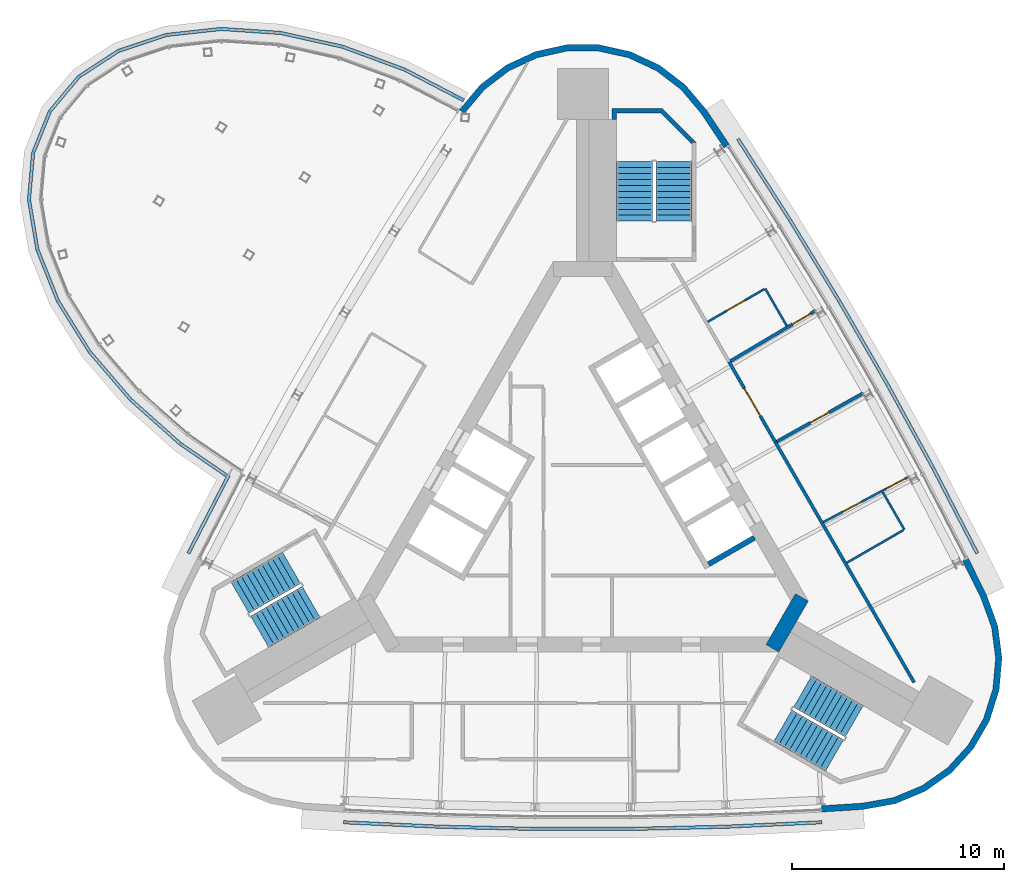
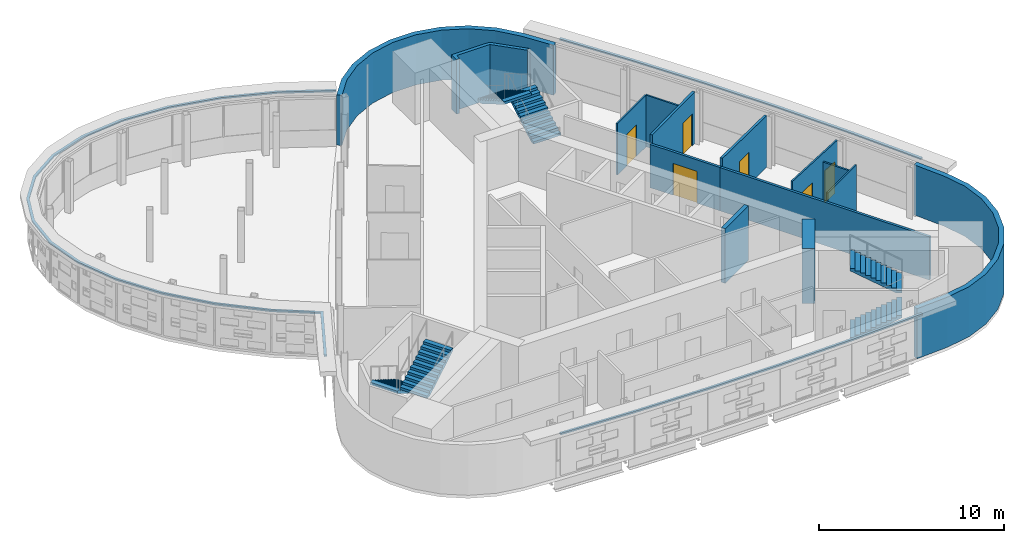
# One storey, part 11 of 13: 14 walls, 6 doors, 6 stair flights, 3 discrete accessories, 6 openings, 3 elements without a shape of their own.
"""IFC4 building model written with IfcOpenShell, lengths in metres."""

from ifc_helpers import new_model, si_unit, direction, frame, frame_2d, origin, place, context, subcontext, project, spatial, polyline, rectangle, outline, extrude, material, layer, layer_set, type_object, element, fill, aggregate, save


model = new_model("IFC4")

# Units and contexts
model_context = context("Model", 3, precision=1e-05, world=origin(), true_north=direction((0.0, 1.0)))
body_context = subcontext(model_context, "Body", "Model", "MODEL_VIEW")
ifc_project = project(units=[si_unit("LENGTHUNIT", "METRE"), si_unit("AREAUNIT", "SQUARE_METRE"), si_unit("VOLUMEUNIT", "CUBIC_METRE"), si_unit("PLANEANGLEUNIT", "RADIAN"), si_unit("MASSUNIT", "GRAM", prefix="KILO")], contexts=[model_context])

# Site, building, storey
site_placement = place(None, origin())
site = spatial("IfcSite", under=ifc_project, at=site_placement, CompositionType="ELEMENT")
building_placement = place(site_placement, origin())
building = spatial("IfcBuilding", under=site, at=building_placement, Name="Noor Cloister Tower", CompositionType="ELEMENT")
storey_placement = place(building_placement, frame((0.0, 0.0, 263.39990234375)))
storey = spatial("IfcBuildingStorey", under=building, at=storey_placement, Name="L67", CompositionType="ELEMENT", Elevation=263.39990234375)

# Walls
ifc_material_1 = material(Name="Concrete C60/75", Category="concrete")
ifc_layer_1 = layer(ifc_material_1, 0.699951171875)
ifc_layer_set_1 = layer_set([ifc_layer_1], Name="Core wall 700 C60/75")
wall_type_1 = type_object("IfcWallType", Name="Core wall 700 C60/75", PredefinedType="SHEAR", material=ifc_layer_set_1)
wall_1_placement = place(storey_placement, frame((8.925537109375, -6.753173828125, -0.199951171875), z_axis=(0.0, 0.0, 1.0), x_axis=(0.500042739161, 0.866000726912, 0.0)))
element("IfcWall", 1, at=wall_1_placement, inside=storey, type_object=wall_type_1, Name="Core wall L67 2", PredefinedType="SHEAR", context=body_context, shape_type="SweptSolid", body=[
    extrude(rectangle(XDim=2.771240234375, YDim=0.699951171875, at=frame_2d((1.3857421875, 0.0))), origin(), (0.0, 0.0, 1.0), 3.60009765625),
])
ifc_material_2 = material(Name="Gypsum board partition on steel studs, 150 mm", Category="steel")
ifc_layer_2 = layer(ifc_material_2, 0.14990234375)
ifc_layer_set_2 = layer_set([ifc_layer_2], Name="Flat wall 150")
wall_type_2 = type_object("IfcWallType", Name="Flat wall 150", PredefinedType="PARTITIONING", material=ifc_layer_set_2)
wall_2_placement = place(storey_placement, frame((15.59619140625, -8.356689453125, 0.0), z_axis=(0.0, 0.0, 1.0), x_axis=(-0.500010741103, 0.866019202317, 0.0)))
element("IfcWall", 2, at=wall_2_placement, inside=storey, type_object=wall_type_2, Name="Wall L67-W01", PredefinedType="PARTITIONING", context=body_context, shape_type="SweptSolid", body=[
    extrude(rectangle(XDim=13.048583984375, YDim=0.14990234375, at=frame_2d((6.5244140625, 0.0))), origin(), (0.0, 0.0, 1.0), 2.85205078125),
])

# Wall, opening, door
wall_3_placement = place(storey_placement, frame((13.208984375, 5.2685546875, 0.0), z_axis=(0.0, 0.0, 1.0), x_axis=(-0.871762529681, -0.489928659953, 0.0)))
wall_3 = element("IfcWall", 3, at=wall_3_placement, inside=storey, type_object=wall_type_2, Name="Wall L67-W03", PredefinedType="PARTITIONING", context=body_context, shape_type="SweptSolid", body=[
    extrude(rectangle(XDim=4.670654296875, YDim=0.14990234375, at=frame_2d((2.33544921875, 0.0))), origin(), (0.0, 0.0, 1.0), 3.400146484375),
])
opening_1_placement = place(wall_3_placement, frame((1.872802734375, 0.0, 0.0)))
opening_1 = element("IfcOpeningElement", 4, at=opening_1_placement, cuts=wall_3, Name="Opening L67-004", PredefinedType="OPENING", context=body_context, shape_type="SweptSolid", body=[
    extrude(rectangle(XDim=1.0, YDim=2.10009765625, at=frame_2d((0.5, 1.050048828125))), frame((0.0, 0.0849609375, 0.0), z_axis=(0.0, -1.0, 0.0), x_axis=(1.0, 0.0, 0.0)), (0.0, 0.0, 1.0), 0.169921875),
])
ifc_material_3 = material(Name="Timber door leaf with steel frame", Category="steel")
door_type_1 = type_object("IfcDoorType", Name="Flat entrance door 1000", OperationType="NOTDEFINED", PredefinedType="DOOR", material=ifc_material_3)
door_1_placement = place(opening_1_placement, origin())
door_1 = element("IfcDoor", 5, at=door_1_placement, inside=storey, type_object=door_type_1, Name="Door L67-004", OperationType="SINGLE_SWING_RIGHT", OverallHeight=2.10009765625, OverallWidth=1.0, PredefinedType="DOOR", context=body_context, shape_type="SweptSolid", body=[
    extrude(rectangle(XDim=1.0, YDim=2.10009765625, at=frame_2d((0.5, 1.050048828125))), frame((0.0, 0.02490234375, 0.0), z_axis=(0.0, -1.0, 0.0), x_axis=(1.0, 0.0, 0.0)), (0.0, 0.0, 1.0), 0.050048828125),
])
fill(opening_1, door_1)

wall_4_placement = place(storey_placement, frame((10.963134765625, 9.149169921875, 0.0), z_axis=(0.0, 0.0, 1.0), x_axis=(-0.860158922337, -0.510026105532, 0.0)))
wall_4 = element("IfcWall", 6, at=wall_4_placement, inside=storey, type_object=wall_type_2, Name="Wall L67-W04", PredefinedType="PARTITIONING", context=body_context, shape_type="SweptSolid", body=[
    extrude(rectangle(XDim=4.666259765625, YDim=0.14990234375, at=frame_2d((2.3330078125, 0.0))), origin(), (0.0, 0.0, 1.0), 3.400146484375),
])
opening_2_placement = place(wall_4_placement, frame((0.270263671875, 0.0, 0.0)))
opening_2 = element("IfcOpeningElement", 7, at=opening_2_placement, cuts=wall_4, Name="Opening L67-006", PredefinedType="OPENING", context=body_context, shape_type="SweptSolid", body=[
    extrude(rectangle(XDim=1.0, YDim=2.10009765625, at=frame_2d((0.5, 1.050048828125))), frame((0.0, 0.0849609375, 0.0), z_axis=(0.0, -1.0, 0.0), x_axis=(1.0, 0.0, 0.0)), (0.0, 0.0, 1.0), 0.169921875),
])
door_2_placement = place(opening_2_placement, origin())
door_2 = element("IfcDoor", 8, at=door_2_placement, inside=storey, type_object=door_type_1, Name="Door L67-006", OperationType="SINGLE_SWING_RIGHT", OverallHeight=2.10009765625, OverallWidth=1.0, PredefinedType="DOOR", context=body_context, shape_type="SweptSolid", body=[
    extrude(rectangle(XDim=1.0, YDim=2.10009765625, at=frame_2d((0.5, 1.050048828125))), frame((0.0, 0.02490234375, 0.0), z_axis=(0.0, -1.0, 0.0), x_axis=(1.0, 0.0, 0.0)), (0.0, 0.0, 1.0), 0.050048828125),
])
fill(opening_2, door_2)

wall_5_placement = place(storey_placement, frame((9.07177734375, 2.943603515625, 0.0), z_axis=(0.0, 0.0, 1.0), x_axis=(-0.499999494409, 0.866025695687, 0.0)))
wall_5 = element("IfcWall", 9, at=wall_5_placement, inside=storey, type_object=wall_type_2, Name="Wall L67-W05", PredefinedType="PARTITIONING", context=body_context, shape_type="SweptSolid", body=[
    extrude(rectangle(XDim=4.37353515625, YDim=0.14990234375, at=frame_2d((2.186767578125, 0.0))), origin(), (0.0, 0.0, 1.0), 2.85205078125),
])
opening_3_placement = place(wall_5_placement, frame((1.436767578125, 0.0, 0.0)))
opening_3 = element("IfcOpeningElement", 10, at=opening_3_placement, cuts=wall_5, Name="Opening L67-001", PredefinedType="OPENING", context=body_context, shape_type="SweptSolid", body=[
    extrude(rectangle(XDim=1.5, YDim=2.10009765625, at=frame_2d((0.75, 1.050048828125))), frame((0.0, 0.0849609375, 0.0), z_axis=(0.0, -1.0, 0.0), x_axis=(1.0, 0.0, 0.0)), (0.0, 0.0, 1.0), 0.169921875),
])
ifc_material_4 = material(Name="Timber door leaf with steel frame", Category="steel")
door_type_2 = type_object("IfcDoorType", Name="Double door 1500 FD60", OperationType="NOTDEFINED", PredefinedType="DOOR", material=ifc_material_4)
door_3_placement = place(opening_3_placement, origin())
door_3 = element("IfcDoor", 11, at=door_3_placement, inside=storey, type_object=door_type_2, Name="Door L67-001", OperationType="DOUBLE_DOOR_SINGLE_SWING", OverallHeight=2.10009765625, OverallWidth=1.5, PredefinedType="DOOR", context=body_context, shape_type="SweptSolid", body=[
    extrude(rectangle(XDim=1.5, YDim=2.10009765625, at=frame_2d((0.75, 1.050048828125))), frame((0.0, 0.02490234375, 0.0), z_axis=(0.0, -1.0, 0.0), x_axis=(1.0, 0.0, 0.0)), (0.0, 0.0, 1.0), 0.050048828125),
])
fill(opening_3, door_3)

# Walls
ifc_material_5 = material(Name="Limestone", Category="masonry")
ifc_layer_3 = layer(ifc_material_5, 0.300048828125)
ifc_layer_set_3 = layer_set([ifc_layer_3], Name="Limestone cladding 300")
wall_type_3 = type_object("IfcWallType", Name="Limestone cladding 300", PredefinedType="NOTDEFINED", material=ifc_layer_set_3)
wall_6_placement = place(storey_placement, origin())
element("IfcWall", 12, at=wall_6_placement, inside=storey, type_object=wall_type_3, Name="Limestone pier cladding L67 2.1", PredefinedType="NOTDEFINED", context=body_context, shape_type="SweptSolid", body=[
    extrude(outline(polyline([(11.24365234375, -14.46044921875), (13.21142578125, -14.336181640625), (14.707763671875, -14.068603515625), (16.11083984375, -13.484619140625), (17.35498046875, -12.611083984375), (18.381103515625, -11.489990234375), (19.14111328125, -10.173583984375), (19.59912109375, -8.724365234375), (19.7333984375, -7.210205078125), (19.53759765625, -5.702880859375), (19.021240234375, -4.2734375), (18.14501953125, -2.507080078125), (17.876220703125, -2.640380859375), (18.744873046875, -4.391357421875), (19.244384765625, -5.77392578125), (19.431640625, -7.21630859375), (19.30322265625, -8.6650390625), (18.864990234375, -10.052001953125), (18.1376953125, -11.3115234375), (17.15576171875, -12.384521484375), (15.96533203125, -13.22021484375), (14.62255859375, -13.779052734375), (13.175537109375, -14.037841796875), (11.224853515625, -14.1611328125), (11.24365234375, -14.46044921875)])), origin(), (0.0, 0.0, 1.0), 3.300048828125),
])
wall_7_placement = place(storey_placement, origin())
element("IfcWall", 13, at=wall_7_placement, inside=storey, type_object=wall_type_3, Name="Limestone pier cladding L67 3.1", PredefinedType="NOTDEFINED", context=body_context, shape_type="SweptSolid", body=[
    extrude(outline(polyline([(6.9013671875, 16.967529296875), (5.809814453125, 18.609619140625), (4.830078125, 19.771484375), (3.62255859375, 20.69482421875), (2.244140625, 21.33544921875), (0.760009765625, 21.66357421875), (-0.760009765625, 21.66357421875), (-2.244140625, 21.33544921875), (-3.62255859375, 20.69482421875), (-4.830078125, 19.771484375), (-5.809814453125, 18.609619140625), (-5.580322265625, 18.416259765625), (-4.621826171875, 19.55322265625), (-3.46630859375, 20.4365234375), (-2.1474609375, 21.049560546875), (-0.727294921875, 21.363525390625), (0.727294921875, 21.363525390625), (2.1474609375, 21.049560546875), (3.46630859375, 20.4365234375), (4.621826171875, 19.55322265625), (5.5693359375, 18.42919921875), (6.6513671875, 16.801513671875), (6.9013671875, 16.967529296875)])), origin(), (0.0, 0.0, 1.0), 3.300048828125),
])

# Wall, openings, doors
ifc_material_6 = material(Name="Gypsum board partition on steel studs, 100 mm", Category="steel")
ifc_layer_4 = layer(ifc_material_6, 0.10009765625)
ifc_layer_set_4 = layer_set([ifc_layer_4], Name="Partition 100")
wall_type_4 = type_object("IfcWallType", Name="Partition 100", PredefinedType="PARTITIONING", material=ifc_layer_set_4)
wall_8_placement = place(storey_placement, frame((15.364013671875, 1.3369140625, 0.0), z_axis=(0.0, 0.0, 1.0), x_axis=(-0.882891694615, -0.469576676997, 0.0)))
wall_8 = element("IfcWall", 14, at=wall_8_placement, inside=storey, type_object=wall_type_4, Name="Wall L67-W06", PredefinedType="PARTITIONING", context=body_context, shape_type="SweptSolid", body=[
    extrude(rectangle(XDim=4.57373046875, YDim=0.10009765625, at=frame_2d((2.286865234375, 0.0))), origin(), (0.0, 0.0, 1.0), 3.400146484375),
])
opening_4_placement = place(wall_8_placement, frame((0.223388671875, 0.0, 0.0)))
opening_4 = element("IfcOpeningElement", 15, at=opening_4_placement, cuts=wall_8, Name="Opening L67-002", PredefinedType="OPENING", context=body_context, shape_type="SweptSolid", body=[
    extrude(rectangle(XDim=1.0, YDim=2.10009765625, at=frame_2d((0.5, 1.050048828125))), frame((0.0, 0.06005859375, 0.0), z_axis=(0.0, -1.0, 0.0), x_axis=(1.0, 0.0, 0.0)), (0.0, 0.0, 1.0), 0.1201171875),
])
opening_5_placement = place(wall_8_placement, frame((2.5478515625, 0.0, 0.0)))
opening_5 = element("IfcOpeningElement", 16, at=opening_5_placement, cuts=wall_8, Name="Opening L67-003", PredefinedType="OPENING", context=body_context, shape_type="SweptSolid", body=[
    extrude(rectangle(XDim=1.0, YDim=2.10009765625, at=frame_2d((0.5, 1.050048828125))), frame((0.0, 0.06005859375, 0.0), z_axis=(0.0, -1.0, 0.0), x_axis=(1.0, 0.0, 0.0)), (0.0, 0.0, 1.0), 0.1201171875),
])
ifc_material_7 = material(Name="Timber door leaf with steel frame", Category="steel")
door_type_3 = type_object("IfcDoorType", Name="Interior door 1000", OperationType="NOTDEFINED", PredefinedType="DOOR", material=ifc_material_7)
door_4_placement = place(opening_4_placement, origin())
door_4 = element("IfcDoor", 17, at=door_4_placement, inside=storey, type_object=door_type_3, Name="Door L67-002", OperationType="SINGLE_SWING_RIGHT", OverallHeight=2.10009765625, OverallWidth=1.0, PredefinedType="DOOR", context=body_context, shape_type="SweptSolid", body=[
    extrude(rectangle(XDim=1.0, YDim=2.10009765625, at=frame_2d((0.5, 1.050048828125))), frame((0.0, 0.02490234375, 0.0), z_axis=(0.0, -1.0, 0.0), x_axis=(1.0, 0.0, 0.0)), (0.0, 0.0, 1.0), 0.050048828125),
])
fill(opening_4, door_4)
door_5_placement = place(opening_5_placement, origin())
door_5 = element("IfcDoor", 18, at=door_5_placement, inside=storey, type_object=door_type_3, Name="Door L67-003", OperationType="SINGLE_SWING_LEFT", OverallHeight=2.10009765625, OverallWidth=1.0, PredefinedType="DOOR", context=body_context, shape_type="SweptSolid", body=[
    extrude(rectangle(XDim=1.0, YDim=2.10009765625, at=frame_2d((0.5, 1.050048828125))), frame((0.0, 0.02490234375, 0.0), z_axis=(0.0, -1.0, 0.0), x_axis=(1.0, 0.0, 0.0)), (0.0, 0.0, 1.0), 0.050048828125),
])
fill(opening_5, door_5)

# Walls
wall_9_placement = place(storey_placement, frame((14.11181640625, 0.614013671875, 0.0), z_axis=(0.0, 0.0, 1.0), x_axis=(0.500007699544, -0.866020958405, 0.0)))
element("IfcWall", 19, at=wall_9_placement, inside=storey, type_object=wall_type_4, Name="Wall L67-W07", PredefinedType="PARTITIONING", context=body_context, shape_type="SweptSolid", body=[
    extrude(rectangle(XDim=2.0498046875, YDim=0.10009765625, at=frame_2d((1.02490234375, 0.0))), origin(), (0.0, 0.0, 1.0), 2.85205078125),
])
wall_10_placement = place(storey_placement, frame((15.093505859375, -1.186279296875, 0.0), z_axis=(0.0, 0.0, 1.0), x_axis=(-0.866050731258, -0.499956128963, 0.0)))
element("IfcWall", 20, at=wall_10_placement, inside=storey, type_object=wall_type_4, Name="Wall L67-W08", PredefinedType="PARTITIONING", context=body_context, shape_type="SweptSolid", body=[
    extrude(rectangle(XDim=3.074951171875, YDim=0.10009765625, at=frame_2d((1.53759765625, 0.0))), origin(), (0.0, 0.0, 1.0), 3.400146484375),
])
wall_11_placement = place(storey_placement, frame((9.600341796875, 8.42822265625, 0.0), z_axis=(0.0, 0.0, 1.0), x_axis=(-0.499990325971, 0.866030989016, 0.0)))
element("IfcWall", 21, at=wall_11_placement, inside=storey, type_object=wall_type_4, Name="Wall L67-W09", PredefinedType="PARTITIONING", context=body_context, shape_type="SweptSolid", body=[
    extrude(rectangle(XDim=2.02490234375, YDim=0.10009765625, at=frame_2d((1.012451171875, 0.0))), origin(), (0.0, 0.0, 1.0), 3.400146484375),
])

# Wall, opening, door
wall_12_placement = place(storey_placement, frame((8.54443359375, 10.156982421875, 0.0), z_axis=(0.0, 0.0, 1.0), x_axis=(-0.866016353143, -0.500015675843, 0.0)))
wall_12 = element("IfcWall", 22, at=wall_12_placement, inside=storey, type_object=wall_type_4, Name="Wall L67-W10", PredefinedType="PARTITIONING", context=body_context, shape_type="SweptSolid", body=[
    extrude(rectangle(XDim=3.0751953125, YDim=0.10009765625, at=frame_2d((1.53759765625, 0.0))), origin(), (0.0, 0.0, 1.0), 3.400146484375),
])
opening_6_placement = place(wall_12_placement, frame((1.050048828125, 0.0, 0.0)))
opening_6 = element("IfcOpeningElement", 23, at=opening_6_placement, cuts=wall_12, Name="Opening L67-005", PredefinedType="OPENING", context=body_context, shape_type="SweptSolid", body=[
    extrude(rectangle(XDim=1.0, YDim=2.10009765625, at=frame_2d((0.5, 1.050048828125))), frame((0.0, 0.06005859375, 0.0), z_axis=(0.0, -1.0, 0.0), x_axis=(1.0, 0.0, 0.0)), (0.0, 0.0, 1.0), 0.1201171875),
])
door_6_placement = place(opening_6_placement, origin())
door_6 = element("IfcDoor", 24, at=door_6_placement, inside=storey, type_object=door_type_3, Name="Door L67-005", OperationType="SINGLE_SWING_LEFT", OverallHeight=2.10009765625, OverallWidth=1.0, PredefinedType="DOOR", context=body_context, shape_type="SweptSolid", body=[
    extrude(rectangle(XDim=1.0, YDim=2.10009765625, at=frame_2d((0.5, 1.050048828125))), frame((0.0, 0.02490234375, 0.0), z_axis=(0.0, -1.0, 0.0), x_axis=(1.0, 0.0, 0.0)), (0.0, 0.0, 1.0), 0.050048828125),
])
fill(opening_6, door_6)

# Walls
ifc_material_8 = material(Name="Concrete C60/75", Category="concrete")
ifc_layer_5 = layer(ifc_material_8, 0.25)
ifc_layer_set_5 = layer_set([ifc_layer_5], Name="Shaft wall 250 C60/75")
wall_type_5 = type_object("IfcWallType", Name="Shaft wall 250 C60/75", PredefinedType="PARTITIONING", material=ifc_layer_set_5)
wall_13_placement = place(storey_placement, frame((8.081298828125, -1.540771484375, -0.199951171875), z_axis=(0.0, 0.0, 1.0), x_axis=(-0.866022959057, -0.500004234368, 0.0)))
element("IfcWall", 25, at=wall_13_placement, inside=storey, type_object=wall_type_5, Name="Lift shaft wall L67 NE 1", PredefinedType="PARTITIONING", context=body_context, shape_type="SweptSolid", body=[
    extrude(rectangle(XDim=2.5, YDim=0.25, at=frame_2d((1.25, 0.0))), origin(), (0.0, 0.0, 1.0), 3.60009765625),
])
ifc_material_9 = material(Name="Concrete C60/75", Category="concrete")
wall_type_6 = type_object("IfcWallType", Name="Stair far end wall C60/75", PredefinedType="SHEAR", material=ifc_material_9)
wall_14_placement = place(storey_placement, frame((0.0, 0.0, -0.199951171875)))
element("IfcWall", 26, at=wall_14_placement, inside=storey, type_object=wall_type_6, Name="Stair enclosure wall ST1 L67 far end", PredefinedType="SHEAR", context=body_context, shape_type="SweptSolid", body=[
    extrude(outline(polyline([(5.335693359375, 17.056396484375), (3.735595703125, 18.656494140625), (1.385498046875, 18.656494140625), (1.385498046875, 18.135009765625), (1.585693359375, 18.135009765625), (1.585693359375, 18.456298828125), (3.65283203125, 18.456298828125), (5.135498046875, 16.9736328125), (5.135498046875, 17.056396484375), (5.135498046875, 17.056396484375), (5.135498046875, 17.056396484375), (5.135498046875, 17.056396484375), (5.135498046875, 17.056396484375), (5.135498046875, 17.056396484375), (5.135498046875, 17.056396484375), (5.135498046875, 17.056396484375), (5.135498046875, 17.056396484375), (5.135498046875, 17.056396484375), (5.135498046875, 17.056396484375), (5.135498046875, 17.056396484375), (5.135498046875, 17.056396484375), (5.135498046875, 17.056396484375), (5.135498046875, 17.056396484375), (5.135498046875, 17.056396484375), (5.135498046875, 17.056396484375), (5.335693359375, 17.056396484375)])), origin(), (0.0, 0.0, 1.0), 3.60009765625),
])

# Stair, stair flights
ifc_material_10 = material(Name="Concrete C40/50", Category="concrete")
stair_type = type_object("IfcStairType", Name="Exit stair 22 risers", PredefinedType="HALF_TURN_STAIR", material=ifc_material_10)
stair_1_placement = place(storey_placement, origin())
stair_1 = element("IfcStair", 27, at=stair_1_placement, inside=storey, type_object=stair_type, Name="Exit stair ST1 L67", PredefinedType="HALF_TURN_STAIR")
ifc_material_11 = material(Name="Concrete C40/50", Category="concrete")
stair_flight_type = type_object("IfcStairFlightType", Name="Exit stair flight", PredefinedType="STRAIGHT", material=ifc_material_11)
stair_flight_1_placement = place(storey_placement, frame((4.28564453125, 13.3564453125, 0.0), z_axis=(0.0, 0.0, 1.0), x_axis=(0.0, 1.0, 0.0)))
stair_flight_1 = element("IfcStairFlight", 28, at=stair_flight_1_placement, type_object=stair_flight_type, Name="ST1 flight 1", NumberOfRisers=11, NumberOfTreads=10, PredefinedType="STRAIGHT", RiserHeight=0.163636364, TreadLength=0.28, context=body_context, shape_type="SweptSolid", body=[
    extrude(outline(polyline([(0.0, 0.0), (0.0, 0.16357421875), (0.280029296875, 0.16357421875), (0.280029296875, 0.327392578125), (0.56005859375, 0.327392578125), (0.56005859375, 0.490966796875), (0.840087890625, 0.490966796875), (0.840087890625, 0.654541015625), (1.1201171875, 0.654541015625), (1.1201171875, 0.818115234375), (1.39990234375, 0.818115234375), (1.39990234375, 0.98193359375), (1.679931640625, 0.98193359375), (1.679931640625, 1.1455078125), (1.9599609375, 1.1455078125), (1.9599609375, 1.30908203125), (2.239990234375, 1.30908203125), (2.239990234375, 1.47265625), (2.52001953125, 1.47265625), (2.52001953125, 1.636474609375), (2.800048828125, 1.636474609375), (2.800048828125, 1.800048828125), (2.800048828125, 1.462646484375), (0.297119140625, 0.0), (0.0, 0.0)])), frame((0.0, 0.85009765625, 0.0), z_axis=(0.0, -1.0, 0.0), x_axis=(1.0, 0.0, 0.0)), (0.0, 0.0, 1.0), 1.699951171875),
])
stair_flight_2_placement = place(storey_placement, frame((2.435546875, 16.156494140625, 1.800048828125), z_axis=(0.0, 0.0, 1.0), x_axis=(0.0, -1.0, 0.0)))
stair_flight_2 = element("IfcStairFlight", 29, at=stair_flight_2_placement, type_object=stair_flight_type, Name="ST1 flight 2", NumberOfRisers=11, NumberOfTreads=10, PredefinedType="STRAIGHT", RiserHeight=0.163636364, TreadLength=0.28, context=body_context, shape_type="SweptSolid", body=[
    extrude(outline(polyline([(0.0, 0.0), (0.0, 0.16357421875), (0.280029296875, 0.16357421875), (0.280029296875, 0.327392578125), (0.56005859375, 0.327392578125), (0.56005859375, 0.490966796875), (0.840087890625, 0.490966796875), (0.840087890625, 0.654541015625), (1.1201171875, 0.654541015625), (1.1201171875, 0.818115234375), (1.39990234375, 0.818115234375), (1.39990234375, 0.98193359375), (1.679931640625, 0.98193359375), (1.679931640625, 1.1455078125), (1.9599609375, 1.1455078125), (1.9599609375, 1.30908203125), (2.239990234375, 1.30908203125), (2.239990234375, 1.47265625), (2.52001953125, 1.47265625), (2.52001953125, 1.636474609375), (2.800048828125, 1.636474609375), (2.800048828125, 1.800048828125), (2.800048828125, 1.462646484375), (0.297119140625, 0.0), (0.0, 0.0)])), frame((0.0, 0.85009765625, 0.0), z_axis=(0.0, -1.0, 0.0), x_axis=(1.0, 0.0, 0.0)), (0.0, 0.0, 1.0), 1.699951171875),
])
aggregate(stair_1, [stair_flight_1, stair_flight_2])

stair_2_placement = place(storey_placement, origin())
stair_2 = element("IfcStair", 30, at=stair_2_placement, inside=storey, type_object=stair_type, Name="Exit stair ST2 L67", PredefinedType="HALF_TURN_STAIR")
stair_flight_3_placement = place(storey_placement, frame((-13.709716796875, -2.966796875, 0.0), z_axis=(0.0, 0.0, 1.0), x_axis=(-0.866025403784, -0.5, 0.0)))
stair_flight_3 = element("IfcStairFlight", 31, at=stair_flight_3_placement, type_object=stair_flight_type, Name="ST2 flight 1", NumberOfRisers=11, NumberOfTreads=10, PredefinedType="STRAIGHT", RiserHeight=0.163636364, TreadLength=0.28, context=body_context, shape_type="SweptSolid", body=[
    extrude(outline(polyline([(0.0, 0.0), (0.0, 0.16357421875), (0.280029296875, 0.16357421875), (0.280029296875, 0.327392578125), (0.56005859375, 0.327392578125), (0.56005859375, 0.490966796875), (0.840087890625, 0.490966796875), (0.840087890625, 0.654541015625), (1.1201171875, 0.654541015625), (1.1201171875, 0.818115234375), (1.39990234375, 0.818115234375), (1.39990234375, 0.98193359375), (1.679931640625, 0.98193359375), (1.679931640625, 1.1455078125), (1.9599609375, 1.1455078125), (1.9599609375, 1.30908203125), (2.239990234375, 1.30908203125), (2.239990234375, 1.47265625), (2.52001953125, 1.47265625), (2.52001953125, 1.636474609375), (2.800048828125, 1.636474609375), (2.800048828125, 1.800048828125), (2.800048828125, 1.462646484375), (0.297119140625, 0.0), (0.0, 0.0)])), frame((0.0, 0.85009765625, 0.0), z_axis=(0.0, -1.0, 0.0), x_axis=(1.0, 0.0, 0.0)), (0.0, 0.0, 1.0), 1.699951171875),
])
stair_flight_4_placement = place(storey_placement, frame((-15.209716796875, -5.968994140625, 1.800048828125), z_axis=(0.0, 0.0, 1.0), x_axis=(0.866025403784, 0.5, 0.0)))
stair_flight_4 = element("IfcStairFlight", 32, at=stair_flight_4_placement, type_object=stair_flight_type, Name="ST2 flight 2", NumberOfRisers=11, NumberOfTreads=10, PredefinedType="STRAIGHT", RiserHeight=0.163636364, TreadLength=0.28, context=body_context, shape_type="SweptSolid", body=[
    extrude(outline(polyline([(0.0, 0.0), (0.0, 0.16357421875), (0.280029296875, 0.16357421875), (0.280029296875, 0.327392578125), (0.56005859375, 0.327392578125), (0.56005859375, 0.490966796875), (0.840087890625, 0.490966796875), (0.840087890625, 0.654541015625), (1.1201171875, 0.654541015625), (1.1201171875, 0.818115234375), (1.39990234375, 0.818115234375), (1.39990234375, 0.98193359375), (1.679931640625, 0.98193359375), (1.679931640625, 1.1455078125), (1.9599609375, 1.1455078125), (1.9599609375, 1.30908203125), (2.239990234375, 1.30908203125), (2.239990234375, 1.47265625), (2.52001953125, 1.47265625), (2.52001953125, 1.636474609375), (2.800048828125, 1.636474609375), (2.800048828125, 1.800048828125), (2.800048828125, 1.462646484375), (0.297119140625, 0.0), (0.0, 0.0)])), frame((0.0, 0.85009765625, 0.0), z_axis=(0.0, -1.0, 0.0), x_axis=(1.0, 0.0, 0.0)), (0.0, 0.0, 1.0), 1.699951171875),
])
aggregate(stair_2, [stair_flight_3, stair_flight_4])

stair_3_placement = place(storey_placement, origin())
stair_3 = element("IfcStair", 33, at=stair_3_placement, inside=storey, type_object=stair_type, Name="Exit stair ST3 L67", PredefinedType="HALF_TURN_STAIR")
stair_flight_5_placement = place(storey_placement, frame((9.424072265625, -10.3896484375, 0.0), z_axis=(0.0, 0.0, 1.0), x_axis=(0.866025403784, -0.5, 0.0)))
stair_flight_5 = element("IfcStairFlight", 34, at=stair_flight_5_placement, type_object=stair_flight_type, Name="ST3 flight 1", NumberOfRisers=11, NumberOfTreads=10, PredefinedType="STRAIGHT", RiserHeight=0.163636364, TreadLength=0.28, context=body_context, shape_type="SweptSolid", body=[
    extrude(outline(polyline([(0.0, 0.0), (0.0, 0.16357421875), (0.280029296875, 0.16357421875), (0.280029296875, 0.327392578125), (0.56005859375, 0.327392578125), (0.56005859375, 0.490966796875), (0.840087890625, 0.490966796875), (0.840087890625, 0.654541015625), (1.1201171875, 0.654541015625), (1.1201171875, 0.818115234375), (1.39990234375, 0.818115234375), (1.39990234375, 0.98193359375), (1.679931640625, 0.98193359375), (1.679931640625, 1.1455078125), (1.9599609375, 1.1455078125), (1.9599609375, 1.30908203125), (2.239990234375, 1.30908203125), (2.239990234375, 1.47265625), (2.52001953125, 1.47265625), (2.52001953125, 1.636474609375), (2.800048828125, 1.636474609375), (2.800048828125, 1.800048828125), (2.800048828125, 1.462646484375), (0.297119140625, 0.0), (0.0, 0.0)])), frame((0.0, 0.85009765625, 0.0), z_axis=(0.0, -1.0, 0.0), x_axis=(1.0, 0.0, 0.0)), (0.0, 0.0, 1.0), 1.699951171875),
])
stair_flight_6_placement = place(storey_placement, frame((12.77392578125, -10.1875, 1.800048828125), z_axis=(0.0, 0.0, 1.0), x_axis=(-0.866025403784, 0.5, 0.0)))
stair_flight_6 = element("IfcStairFlight", 35, at=stair_flight_6_placement, type_object=stair_flight_type, Name="ST3 flight 2", NumberOfRisers=11, NumberOfTreads=10, PredefinedType="STRAIGHT", RiserHeight=0.163636364, TreadLength=0.28, context=body_context, shape_type="SweptSolid", body=[
    extrude(outline(polyline([(0.0, 0.0), (0.0, 0.16357421875), (0.280029296875, 0.16357421875), (0.280029296875, 0.327392578125), (0.56005859375, 0.327392578125), (0.56005859375, 0.490966796875), (0.840087890625, 0.490966796875), (0.840087890625, 0.654541015625), (1.1201171875, 0.654541015625), (1.1201171875, 0.818115234375), (1.39990234375, 0.818115234375), (1.39990234375, 0.98193359375), (1.679931640625, 0.98193359375), (1.679931640625, 1.1455078125), (1.9599609375, 1.1455078125), (1.9599609375, 1.30908203125), (2.239990234375, 1.30908203125), (2.239990234375, 1.47265625), (2.52001953125, 1.47265625), (2.52001953125, 1.636474609375), (2.800048828125, 1.636474609375), (2.800048828125, 1.800048828125), (2.800048828125, 1.462646484375), (0.297119140625, 0.0), (0.0, 0.0)])), frame((0.0, 0.85009765625, 0.0), z_axis=(0.0, -1.0, 0.0), x_axis=(1.0, 0.0, 0.0)), (0.0, 0.0, 1.0), 1.699951171875),
])
aggregate(stair_3, [stair_flight_5, stair_flight_6])

# Discrete accessories
ifc_material_12 = material(Name="Stainless steel grade 316", Category="steel")
discrete_accessory_type = type_object("IfcDiscreteAccessoryType", Name="Stainless hanger rail", PredefinedType="BRACKET", material=ifc_material_12)
discrete_accessory_1_placement = place(storey_placement, frame((0.0, 0.0, 3.2001953125)))
element("IfcDiscreteAccessory", 36, at=discrete_accessory_1_placement, inside=storey, type_object=discrete_accessory_type, Name="Hanger rail L67", PredefinedType="BRACKET", context=body_context, shape_type="SweptSolid", body=[
    extrude(outline(polyline([(-5.5517578125, 19.106689453125), (-8.3583984375, 20.56396484375), (-11.293212890625, 21.64599609375), (-14.21826171875, 22.295166015625), (-17.02783203125, 22.484130859375), (-19.620849609375, 22.198486328125), (-21.9013671875, 21.4375), (-23.775634765625, 20.215087890625), (-25.151123046875, 18.5712890625), (-25.95361328125, 16.583984375), (-26.1494140625, 14.35498046875), (-25.7470703125, 11.984619140625), (-24.778076171875, 9.5625), (-23.288818359375, 7.1728515625), (-21.338623046875, 4.89794921875), (-19.00244140625, 2.818359375), (-16.802734375, 1.30810546875), (-18.642333984375, -2.25), (-18.500244140625, -2.323486328125), (-16.595703125, 1.360107421875), (-18.903564453125, 2.944580078125), (-21.224365234375, 5.01025390625), (-23.159423828125, 7.267578125), (-24.634765625, 9.63525390625), (-25.59228515625, 12.0283203125), (-25.98828125, 14.361328125), (-25.79638671875, 16.546142578125), (-25.01220703125, 18.488037109375), (-23.668212890625, 20.093994140625), (-21.831298828125, 21.292236328125), (-19.58642578125, 22.041259765625), (-17.0244140625, 22.323486328125), (-14.240966796875, 22.136474609375), (-11.33837890625, 21.4921875), (-8.42333984375, 20.417236328125), (-5.62548828125, 18.964599609375), (-5.5517578125, 19.106689453125)])), origin(), (0.0, 0.0, 1.0), 0.099853515625),
])
discrete_accessory_2_placement = place(storey_placement, frame((0.0, 0.0, 3.2001953125)))
element("IfcDiscreteAccessory", 37, at=discrete_accessory_2_placement, inside=storey, type_object=discrete_accessory_type, Name="Hanger rail L67", PredefinedType="BRACKET", context=body_context, shape_type="SweptSolid", body=[
    extrude(outline(polyline([(-11.269775390625, -15.019775390625), (-6.76806640625, -15.228759765625), (-2.25634765625, -15.33349609375), (2.25634765625, -15.33349609375), (6.76806640625, -15.228759765625), (11.269775390625, -15.019775390625), (11.26220703125, -14.860107421875), (6.762451171875, -15.06884765625), (2.254638671875, -15.173583984375), (-2.254638671875, -15.173583984375), (-6.762451171875, -15.06884765625), (-11.26220703125, -14.860107421875), (-11.269775390625, -15.019775390625)])), origin(), (0.0, 0.0, 1.0), 0.099853515625),
])
discrete_accessory_3_placement = place(storey_placement, frame((0.0, 0.0, 3.2001953125)))
element("IfcDiscreteAccessory", 38, at=discrete_accessory_3_placement, inside=storey, type_object=discrete_accessory_type, Name="Hanger rail L67", PredefinedType="BRACKET", context=body_context, shape_type="SweptSolid", body=[
    extrude(outline(polyline([(18.642333984375, -2.25), (16.572509765625, 1.7529296875), (14.407470703125, 5.712646484375), (12.15087890625, 9.620849609375), (9.804443359375, 13.475830078125), (7.372802734375, 17.269775390625), (7.238037109375, 17.183349609375), (9.668701171875, 13.39111328125), (12.013427734375, 9.539306640625), (14.267822265625, 5.63427734375), (16.431396484375, 1.677978515625), (18.500244140625, -2.323486328125), (18.642333984375, -2.25)])), origin(), (0.0, 0.0, 1.0), 0.099853515625),
])

save(model, "model.ifc")
